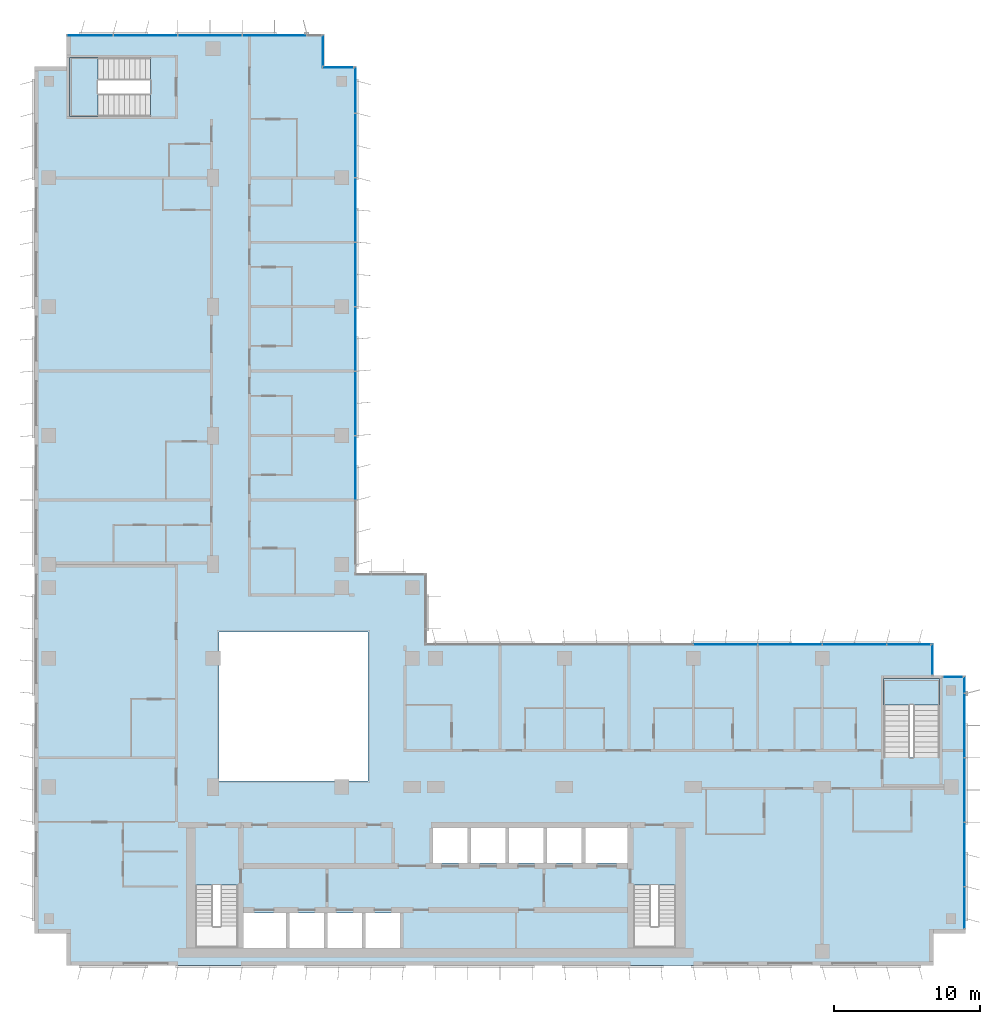
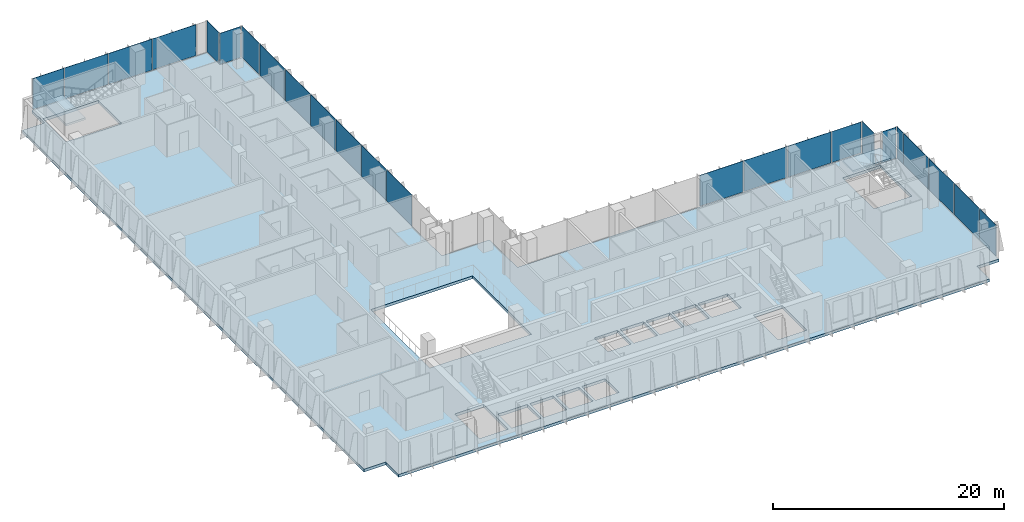
# One storey, part 11 of 21: 24 plates, 3 slabs, 10 elements without a shape of their own.
"""IFC4 building model written with IfcOpenShell, lengths in metres."""

from ifc_helpers import new_model, si_unit, direction, frame, origin, origin_2d, place, context, subcontext, project, spatial, polyline, rectangle, outline, extrude, source, transform, mapped, material, layer, layer_set, type_object, element, aggregate, save


model = new_model("IFC4")

# Units and contexts
model_context = context("Model", 3, precision=1e-05, world=origin(), true_north=direction((0.0, 1.0)))
body_context = subcontext(model_context, "Body", "Model", "MODEL_VIEW")
ifc_project = project(units=[si_unit("LENGTHUNIT", "METRE"), si_unit("AREAUNIT", "SQUARE_METRE"), si_unit("VOLUMEUNIT", "CUBIC_METRE"), si_unit("PLANEANGLEUNIT", "RADIAN"), si_unit("MASSUNIT", "GRAM", prefix="KILO")], contexts=[model_context])

# Site, building, storey
site_placement = place(None, origin())
site = spatial("IfcSite", under=ifc_project, at=site_placement, CompositionType="ELEMENT")
building_placement = place(site_placement, origin())
building = spatial("IfcBuilding", under=site, at=building_placement, Name="Kemantara Hotel Tower", CompositionType="ELEMENT")
storey_placement = place(building_placement, frame((0.0, 0.0, 215.39990234375)))
storey = spatial("IfcBuildingStorey", under=building, at=storey_placement, Name="L53", CompositionType="ELEMENT", Elevation=215.39990234375)

# Slab
ifc_material_1 = material(Name="Concrete fc 40 MPa", Category="concrete")
ifc_layer_1 = layer(ifc_material_1, 0.300048828125)
ifc_layer_set_1 = layer_set([ifc_layer_1], Name="Concrete fc 40 MPa")
slab_type_1 = type_object("IfcSlabType", Name="POST-TENSIONED FLAT PLATE 300", PredefinedType="FLOOR", material=ifc_layer_set_1)
slab_1_placement = place(storey_placement, frame((0.0, 0.0, -0.2998046875)))
element("IfcSlab", 1, at=slab_1_placement, inside=storey, type_object=slab_type_1, Name="FLOOR SLAB L53", PredefinedType="FLOOR", context=body_context, shape_type="SweptSolid", body=[
    extrude(outline(polyline([(22.0, 26.800048828125), (22.0, 61.39990234375), (19.800048828125, 61.39990234375), (19.800048828125, 63.60009765625), (2.199951171875, 63.60009765625), (2.199951171875, 61.39990234375), (0.0, 61.39990234375), (0.0, 2.199951171875), (2.199951171875, 2.199951171875), (2.199951171875, 0.0), (61.39990234375, 0.0), (61.39990234375, 2.199951171875), (63.60009765625, 2.199951171875), (63.60009765625, 19.800048828125), (61.39990234375, 19.800048828125), (61.39990234375, 22.0), (26.800048828125, 22.0), (26.800048828125, 26.800048828125), (22.0, 26.800048828125)]), holes=[polyline([(17.175048828125, 3.60009765625), (17.175048828125, 1.199951171875), (14.22509765625, 1.199951171875), (14.22509765625, 3.60009765625), (17.175048828125, 3.60009765625)]), polyline([(19.77490234375, 1.199951171875), (17.425048828125, 1.199951171875), (17.425048828125, 3.60009765625), (19.77490234375, 3.60009765625), (19.77490234375, 1.199951171875)]), polyline([(22.375, 1.199951171875), (20.02490234375, 1.199951171875), (20.02490234375, 3.60009765625), (22.375, 3.60009765625), (22.375, 1.199951171875)]), polyline([(24.97509765625, 1.199951171875), (22.625, 1.199951171875), (22.625, 3.60009765625), (24.97509765625, 3.60009765625), (24.97509765625, 1.199951171875)]), polyline([(11.0, 1.199951171875), (11.0, 5.49951171875), (13.89990234375, 5.49951171875), (13.89990234375, 1.199951171875), (11.0, 1.199951171875)]), polyline([(22.800048828125, 12.60009765625), (12.60009765625, 12.60009765625), (12.60009765625, 22.800048828125), (22.800048828125, 22.800048828125), (22.800048828125, 12.60009765625)]), polyline([(2.39990234375, 62.0), (7.949462890625, 62.0), (7.949462890625, 58.0), (2.39990234375, 58.0), (2.39990234375, 62.0)]), polyline([(43.800048828125, 1.199951171875), (40.89990234375, 1.199951171875), (40.89990234375, 5.49951171875), (43.800048828125, 5.49951171875), (43.800048828125, 1.199951171875)]), polyline([(29.574951171875, 7.0), (27.22509765625, 7.0), (27.22509765625, 9.39990234375), (29.574951171875, 9.39990234375), (29.574951171875, 7.0)]), polyline([(32.175048828125, 7.0), (29.824951171875, 7.0), (29.824951171875, 9.39990234375), (32.175048828125, 9.39990234375), (32.175048828125, 7.0)]), polyline([(34.77490234375, 7.0), (32.425048828125, 7.0), (32.425048828125, 9.39990234375), (34.77490234375, 9.39990234375), (34.77490234375, 7.0)]), polyline([(37.375, 7.0), (35.02490234375, 7.0), (35.02490234375, 9.39990234375), (37.375, 9.39990234375), (37.375, 7.0)]), polyline([(40.574951171875, 7.0), (37.625, 7.0), (37.625, 9.39990234375), (40.574951171875, 9.39990234375), (40.574951171875, 7.0)]), polyline([(61.800048828125, 19.60009765625), (61.800048828125, 14.20068359375), (58.0, 14.20068359375), (58.0, 19.60009765625), (61.800048828125, 19.60009765625)])]), origin(), (0.0, 0.0, 1.0), 0.2998046875),
])

# Stair, slab
stair_type_1 = type_object("IfcStairType", Name="Stair 1800 wide 22 risers of 168 x 360 mm", PredefinedType="HALF_TURN_STAIR", material=ifc_material_1)
stair_1_placement = place(storey_placement, origin())
stair_1 = element("IfcStair", 2, at=stair_1_placement, inside=storey, type_object=stair_type_1, Name="L53 Exit stair ST3", PredefinedType="HALF_TURN_STAIR")
ifc_layer_2 = layer(ifc_material_1, 0.199951171875)
ifc_layer_set_2 = layer_set([ifc_layer_2], Name="Concrete fc 40 MPa")
slab_type_2 = type_object("IfcSlabType", Name="Stair landing 200 mm", PredefinedType="LANDING", material=ifc_layer_set_2)
slab_2_placement = place(storey_placement, frame((0.0, 0.0, 1.650146484375)))
slab_2 = element("IfcSlab", 3, at=slab_2_placement, type_object=slab_type_2, Name="ST3 landing 1", PredefinedType="LANDING", context=body_context, shape_type="SweptSolid", body=[
    extrude(outline(polyline([(61.800048828125, 17.800048828125), (61.800048828125, 19.60009765625), (58.0, 19.60009765625), (58.0, 17.800048828125), (61.800048828125, 17.800048828125)])), origin(), (0.0, 0.0, 1.0), 0.199951171875),
])
aggregate(stair_1, [slab_2])

stair_type_2 = type_object("IfcStairType", Name="Stair 1550 wide 22 risers of 168 x 360 mm", PredefinedType="HALF_TURN_STAIR", material=ifc_material_1)
stair_2_placement = place(storey_placement, origin())
stair_2 = element("IfcStair", 4, at=stair_2_placement, inside=storey, type_object=stair_type_2, Name="L53 Exit stair ST4", PredefinedType="HALF_TURN_STAIR")
slab_3_placement = place(storey_placement, frame((0.0, 0.0, 1.650146484375)))
slab_3 = element("IfcSlab", 5, at=slab_3_placement, type_object=slab_type_2, Name="ST4 landing 1", PredefinedType="LANDING", context=body_context, shape_type="SweptSolid", body=[
    extrude(outline(polyline([(4.35009765625, 62.0), (2.39990234375, 62.0), (2.39990234375, 58.0), (4.35009765625, 58.0), (4.35009765625, 62.0)])), origin(), (0.0, 0.0, 1.0), 0.199951171875),
])
aggregate(stair_2, [slab_3])

# Curtain wall, plate
ifc_material_2 = material(Name="Low-E tinted double insulated glass 36 mm", Category="glass")
curtain_wall_type = type_object("IfcCurtainWallType", Name="TOWER CURTAIN WALL, FRONT FACES", PredefinedType="USERDEFINED", material=ifc_material_2)
curtain_wall_1_placement = place(storey_placement, origin())
curtain_wall_1 = element("IfcCurtainWall", 6, at=curtain_wall_1_placement, inside=storey, type_object=curtain_wall_type, Name="CW4 L53 T3-R11-1", ObjectType="TOWER CURTAIN WALL, FRONT FACES", PredefinedType="USERDEFINED")
ifc_layer_3 = layer(ifc_material_2, 0.035888671875)
ifc_layer_set_3 = layer_set([ifc_layer_3], Name="Low-E tinted double insulated glass 36 mm")
plate_type = type_object("IfcPlateType", Name="TOWER CURTAIN WALL, FRONT FACES PANEL", PredefinedType="CURTAIN_PANEL", material=ifc_layer_set_3)
shared_shape_1 = source(origin(), body_context, "Body", "SweptSolid", [
    extrude(rectangle(XDim=2.81005859375, YDim=0.035888671875, at=origin_2d()), origin(), (0.0, 0.0, 1.0), 3.280029296875),
])
plate_1_placement = place(storey_placement, frame((63.52490234375, 3.965087890625, 0.1201171875), z_axis=(0.0, 0.0, 1.0), x_axis=(0.0, 1.0, 0.0)))
plate_1 = element("IfcPlate", 7, at=plate_1_placement, type_object=plate_type, Name="CW4 glass panel T3-R11-1.1", PredefinedType="CURTAIN_PANEL", context=body_context, shape_type="MappedRepresentation", body=[
    mapped(shared_shape_1, transform((0.0, 0.0, 0.0))),
])

# Curtain wall, plates
curtain_wall_2_placement = place(storey_placement, origin())
curtain_wall_2 = element("IfcCurtainWall", 8, at=curtain_wall_2_placement, inside=storey, type_object=curtain_wall_type, Name="CW4 L53 T3-R02-1", ObjectType="TOWER CURTAIN WALL, FRONT FACES", PredefinedType="USERDEFINED")
shared_shape_2 = source(origin(), body_context, "Body", "SweptSolid", [
    extrude(rectangle(XDim=4.340087890625, YDim=0.035888671875, at=origin_2d()), origin(), (0.0, 0.0, 1.0), 3.280029296875),
])
plate_2_placement = place(storey_placement, frame((16.39990234375, 63.52490234375, 0.1201171875), z_axis=(0.0, 0.0, 1.0), x_axis=(-1.0, 0.0, 0.0)))
plate_2 = element("IfcPlate", 9, at=plate_2_placement, type_object=plate_type, Name="CW4 glass panel T3-R02-1.2", PredefinedType="CURTAIN_PANEL", context=body_context, shape_type="MappedRepresentation", body=[
    mapped(shared_shape_2, transform((0.0, 0.0, 0.0))),
])
plate_3_placement = place(storey_placement, frame((12.0, 63.52490234375, 0.1201171875), z_axis=(0.0, 0.0, 1.0), x_axis=(-1.0, 0.0, 0.0)))
plate_3 = element("IfcPlate", 10, at=plate_3_placement, type_object=plate_type, Name="CW4 glass panel T3-R02-1.3", PredefinedType="CURTAIN_PANEL", context=body_context, shape_type="MappedRepresentation", body=[
    mapped(shared_shape_2, transform((0.0, 0.0, 0.0))),
])
plate_4_placement = place(storey_placement, frame((7.60009765625, 63.52490234375, 0.1201171875), z_axis=(0.0, 0.0, 1.0), x_axis=(-1.0, 0.0, 0.0)))
plate_4 = element("IfcPlate", 11, at=plate_4_placement, type_object=plate_type, Name="CW4 glass panel T3-R02-1.4", PredefinedType="CURTAIN_PANEL", context=body_context, shape_type="MappedRepresentation", body=[
    mapped(shared_shape_2, transform((0.0, 0.0, 0.0))),
])

# Plate
plate_5_placement = place(storey_placement, frame((63.52490234375, 7.60009765625, 0.1201171875), z_axis=(0.0, 0.0, 1.0), x_axis=(0.0, 1.0, 0.0)))
plate_5 = element("IfcPlate", 12, at=plate_5_placement, type_object=plate_type, Name="CW4 glass panel T3-R11-1.2", PredefinedType="CURTAIN_PANEL", context=body_context, shape_type="MappedRepresentation", body=[
    mapped(shared_shape_2, transform((0.0, 0.0, 0.0))),
])

plate_6_placement = place(storey_placement, frame((63.52490234375, 12.0, 0.1201171875), z_axis=(0.0, 0.0, 1.0), x_axis=(0.0, 1.0, 0.0)))
plate_6 = element("IfcPlate", 13, at=plate_6_placement, type_object=plate_type, Name="CW4 glass panel T3-R11-1.3", PredefinedType="CURTAIN_PANEL", context=body_context, shape_type="MappedRepresentation", body=[
    mapped(shared_shape_2, transform((0.0, 0.0, 0.0))),
])

plate_7_placement = place(storey_placement, frame((63.52490234375, 16.39990234375, 0.1201171875), z_axis=(0.0, 0.0, 1.0), x_axis=(0.0, 1.0, 0.0)))
plate_7 = element("IfcPlate", 14, at=plate_7_placement, type_object=plate_type, Name="CW4 glass panel T3-R11-1.4", PredefinedType="CURTAIN_PANEL", context=body_context, shape_type="MappedRepresentation", body=[
    mapped(shared_shape_2, transform((0.0, 0.0, 0.0))),
])

# Curtain wall, plates
curtain_wall_3_placement = place(storey_placement, origin())
curtain_wall_3 = element("IfcCurtainWall", 15, at=curtain_wall_3_placement, inside=storey, type_object=curtain_wall_type, Name="CW4 L53 T3-R14-1", ObjectType="TOWER CURTAIN WALL, FRONT FACES", PredefinedType="USERDEFINED")
plate_8_placement = place(storey_placement, frame((56.0, 21.925048828125, 0.1201171875), z_axis=(0.0, 0.0, 1.0), x_axis=(-1.0, 0.0, 0.0)))
plate_8 = element("IfcPlate", 16, at=plate_8_placement, type_object=plate_type, Name="CW4 glass panel T3-R14-1.2", PredefinedType="CURTAIN_PANEL", context=body_context, shape_type="MappedRepresentation", body=[
    mapped(shared_shape_2, transform((0.0, 0.0, 0.0))),
])
plate_9_placement = place(storey_placement, frame((51.60009765625, 21.925048828125, 0.1201171875), z_axis=(0.0, 0.0, 1.0), x_axis=(-1.0, 0.0, 0.0)))
plate_9 = element("IfcPlate", 17, at=plate_9_placement, type_object=plate_type, Name="CW4 glass panel T3-R14-1.3", PredefinedType="CURTAIN_PANEL", context=body_context, shape_type="MappedRepresentation", body=[
    mapped(shared_shape_2, transform((0.0, 0.0, 0.0))),
])
plate_10_placement = place(storey_placement, frame((47.199951171875, 21.925048828125, 0.1201171875), z_axis=(0.0, 0.0, 1.0), x_axis=(-1.0, 0.0, 0.0)))
plate_10 = element("IfcPlate", 18, at=plate_10_placement, type_object=plate_type, Name="CW4 glass panel T3-R14-1.4", PredefinedType="CURTAIN_PANEL", context=body_context, shape_type="MappedRepresentation", body=[
    mapped(shared_shape_2, transform((0.0, 0.0, 0.0))),
])

curtain_wall_4_placement = place(storey_placement, origin())
curtain_wall_4 = element("IfcCurtainWall", 19, at=curtain_wall_4_placement, inside=storey, type_object=curtain_wall_type, Name="CW4 L53 T3-R17-1", ObjectType="TOWER CURTAIN WALL, FRONT FACES", PredefinedType="USERDEFINED")
plate_11_placement = place(storey_placement, frame((21.925048828125, 34.0, 0.1201171875), z_axis=(0.0, 0.0, 1.0), x_axis=(0.0, 1.0, 0.0)))
plate_11 = element("IfcPlate", 20, at=plate_11_placement, type_object=plate_type, Name="CW4 glass panel T3-R17-1.3", PredefinedType="CURTAIN_PANEL", context=body_context, shape_type="MappedRepresentation", body=[
    mapped(shared_shape_2, transform((0.0, 0.0, 0.0))),
])
plate_12_placement = place(storey_placement, frame((21.925048828125, 38.39990234375, 0.1201171875), z_axis=(0.0, 0.0, 1.0), x_axis=(0.0, 1.0, 0.0)))
plate_12 = element("IfcPlate", 21, at=plate_12_placement, type_object=plate_type, Name="CW4 glass panel T3-R17-1.4", PredefinedType="CURTAIN_PANEL", context=body_context, shape_type="MappedRepresentation", body=[
    mapped(shared_shape_2, transform((0.0, 0.0, 0.0))),
])
plate_13_placement = place(storey_placement, frame((21.925048828125, 42.800048828125, 0.1201171875), z_axis=(0.0, 0.0, 1.0), x_axis=(0.0, 1.0, 0.0)))
plate_13 = element("IfcPlate", 22, at=plate_13_placement, type_object=plate_type, Name="CW4 glass panel T3-R17-1.5", PredefinedType="CURTAIN_PANEL", context=body_context, shape_type="MappedRepresentation", body=[
    mapped(shared_shape_2, transform((0.0, 0.0, 0.0))),
])
plate_14_placement = place(storey_placement, frame((21.925048828125, 47.199951171875, 0.1201171875), z_axis=(0.0, 0.0, 1.0), x_axis=(0.0, 1.0, 0.0)))
plate_14 = element("IfcPlate", 23, at=plate_14_placement, type_object=plate_type, Name="CW4 glass panel T3-R17-1.6", PredefinedType="CURTAIN_PANEL", context=body_context, shape_type="MappedRepresentation", body=[
    mapped(shared_shape_2, transform((0.0, 0.0, 0.0))),
])
plate_15_placement = place(storey_placement, frame((21.925048828125, 51.60009765625, 0.1201171875), z_axis=(0.0, 0.0, 1.0), x_axis=(0.0, 1.0, 0.0)))
plate_15 = element("IfcPlate", 24, at=plate_15_placement, type_object=plate_type, Name="CW4 glass panel T3-R17-1.7", PredefinedType="CURTAIN_PANEL", context=body_context, shape_type="MappedRepresentation", body=[
    mapped(shared_shape_2, transform((0.0, 0.0, 0.0))),
])
plate_16_placement = place(storey_placement, frame((21.925048828125, 56.0, 0.1201171875), z_axis=(0.0, 0.0, 1.0), x_axis=(0.0, 1.0, 0.0)))
plate_16 = element("IfcPlate", 25, at=plate_16_placement, type_object=plate_type, Name="CW4 glass panel T3-R17-1.8", PredefinedType="CURTAIN_PANEL", context=body_context, shape_type="MappedRepresentation", body=[
    mapped(shared_shape_2, transform((0.0, 0.0, 0.0))),
])

# Plate
shared_shape_3 = source(origin(), body_context, "Body", "SweptSolid", [
    extrude(rectangle(XDim=3.110107421875, YDim=0.035888671875, at=origin_2d()), origin(), (0.0, 0.0, 1.0), 3.280029296875),
])
plate_17_placement = place(storey_placement, frame((3.81494140625, 63.52490234375, 0.1201171875), z_axis=(0.0, 0.0, 1.0), x_axis=(-1.0, 0.0, 0.0)))
plate_17 = element("IfcPlate", 26, at=plate_17_placement, type_object=plate_type, Name="CW4 glass panel T3-R02-1.5", PredefinedType="CURTAIN_PANEL", context=body_context, shape_type="MappedRepresentation", body=[
    mapped(shared_shape_3, transform((0.0, 0.0, 0.0))),
])

aggregate(curtain_wall_2, [plate_2, plate_3, plate_4, plate_17])

plate_18_placement = place(storey_placement, frame((21.925048828125, 59.784912109375, 0.1201171875), z_axis=(0.0, 0.0, 1.0), x_axis=(0.0, 1.0, 0.0)))
plate_18 = element("IfcPlate", 27, at=plate_18_placement, type_object=plate_type, Name="CW4 glass panel T3-R17-1.9", PredefinedType="CURTAIN_PANEL", context=body_context, shape_type="MappedRepresentation", body=[
    mapped(shared_shape_3, transform((0.0, 0.0, 0.0))),
])

aggregate(curtain_wall_4, [plate_11, plate_12, plate_13, plate_14, plate_15, plate_16, plate_18])

# Curtain wall, plate
curtain_wall_5_placement = place(storey_placement, origin())
curtain_wall_5 = element("IfcCurtainWall", 28, at=curtain_wall_5_placement, inside=storey, type_object=curtain_wall_type, Name="CW4 L53 T3-R00-1", ObjectType="TOWER CURTAIN WALL, FRONT FACES", PredefinedType="USERDEFINED")
shared_shape_4 = source(origin(), body_context, "Body", "SweptSolid", [
    extrude(rectangle(XDim=2.080078125, YDim=0.035888671875, at=origin_2d()), origin(), (0.0, 0.0, 1.0), 3.280029296875),
])
plate_19_placement = place(storey_placement, frame((20.75, 61.324951171875, 0.1201171875), z_axis=(0.0, 0.0, 1.0), x_axis=(-1.0, 0.0, 0.0)))
plate_19 = element("IfcPlate", 29, at=plate_19_placement, type_object=plate_type, Name="CW4 glass panel T3-R00-1.1", PredefinedType="CURTAIN_PANEL", context=body_context, shape_type="MappedRepresentation", body=[
    mapped(shared_shape_4, transform((0.0, 0.0, 0.0))),
])
aggregate(curtain_wall_5, [plate_19])

curtain_wall_6_placement = place(storey_placement, origin())
curtain_wall_6 = element("IfcCurtainWall", 30, at=curtain_wall_6_placement, inside=storey, type_object=curtain_wall_type, Name="CW4 L53 T3-R01-1", ObjectType="TOWER CURTAIN WALL, FRONT FACES", PredefinedType="USERDEFINED")
plate_20_placement = place(storey_placement, frame((19.72509765625, 62.5, 0.1201171875), z_axis=(0.0, 0.0, 1.0), x_axis=(0.0, 1.0, 0.0)))
plate_20 = element("IfcPlate", 31, at=plate_20_placement, type_object=plate_type, Name="CW4 glass panel T3-R01-1.1", PredefinedType="CURTAIN_PANEL", context=body_context, shape_type="MappedRepresentation", body=[
    mapped(shared_shape_4, transform((0.0, 0.0, 0.0))),
])
aggregate(curtain_wall_6, [plate_20])

curtain_wall_7_placement = place(storey_placement, origin())
curtain_wall_7 = element("IfcCurtainWall", 32, at=curtain_wall_7_placement, inside=storey, type_object=curtain_wall_type, Name="CW4 L53 T3-R13-1", ObjectType="TOWER CURTAIN WALL, FRONT FACES", PredefinedType="USERDEFINED")
plate_21_placement = place(storey_placement, frame((61.324951171875, 20.89990234375, 0.1201171875), z_axis=(0.0, 0.0, 1.0), x_axis=(0.0, 1.0, 0.0)))
plate_21 = element("IfcPlate", 33, at=plate_21_placement, type_object=plate_type, Name="CW4 glass panel T3-R13-1.1", PredefinedType="CURTAIN_PANEL", context=body_context, shape_type="MappedRepresentation", body=[
    mapped(shared_shape_4, transform((0.0, 0.0, 0.0))),
])
aggregate(curtain_wall_7, [plate_21])

# Plate
shared_shape_5 = source(origin(), body_context, "Body", "SweptSolid", [
    extrude(rectangle(XDim=2.9599609375, YDim=0.035888671875, at=origin_2d()), origin(), (0.0, 0.0, 1.0), 3.280029296875),
])
plate_22_placement = place(storey_placement, frame((59.7099609375, 21.925048828125, 0.1201171875), z_axis=(0.0, 0.0, 1.0), x_axis=(-1.0, 0.0, 0.0)))
plate_22 = element("IfcPlate", 34, at=plate_22_placement, type_object=plate_type, Name="CW4 glass panel T3-R14-1.1", PredefinedType="CURTAIN_PANEL", context=body_context, shape_type="MappedRepresentation", body=[
    mapped(shared_shape_5, transform((0.0, 0.0, 0.0))),
])

aggregate(curtain_wall_3, [plate_22, plate_8, plate_9, plate_10])

shared_shape_6 = source(origin(), body_context, "Body", "SweptSolid", [
    extrude(rectangle(XDim=1.110107421875, YDim=0.035888671875, at=origin_2d()), origin(), (0.0, 0.0, 1.0), 3.280029296875),
])
plate_23_placement = place(storey_placement, frame((63.52490234375, 19.18505859375, 0.1201171875), z_axis=(0.0, 0.0, 1.0), x_axis=(0.0, 1.0, 0.0)))
plate_23 = element("IfcPlate", 35, at=plate_23_placement, type_object=plate_type, Name="CW4 glass panel T3-R11-1.5", PredefinedType="CURTAIN_PANEL", context=body_context, shape_type="MappedRepresentation", body=[
    mapped(shared_shape_6, transform((0.0, 0.0, 0.0))),
])

aggregate(curtain_wall_1, [plate_1, plate_5, plate_6, plate_7, plate_23])

# Curtain wall, plate
curtain_wall_8_placement = place(storey_placement, origin())
curtain_wall_8 = element("IfcCurtainWall", 36, at=curtain_wall_8_placement, inside=storey, type_object=curtain_wall_type, Name="CW4 L53 T3-R12-1", ObjectType="TOWER CURTAIN WALL, FRONT FACES", PredefinedType="USERDEFINED")
shared_shape_7 = source(origin(), body_context, "Body", "SweptSolid", [
    extrude(rectangle(XDim=1.330078125, YDim=0.035888671875, at=origin_2d()), origin(), (0.0, 0.0, 1.0), 3.280029296875),
])
plate_24_placement = place(storey_placement, frame((62.72509765625, 19.72509765625, 0.1201171875), z_axis=(0.0, 0.0, 1.0), x_axis=(-1.0, 0.0, 0.0)))
plate_24 = element("IfcPlate", 37, at=plate_24_placement, type_object=plate_type, Name="CW4 glass panel T3-R12-1.1", PredefinedType="CURTAIN_PANEL", context=body_context, shape_type="MappedRepresentation", body=[
    mapped(shared_shape_7, transform((0.0, 0.0, 0.0))),
])
aggregate(curtain_wall_8, [plate_24])

save(model, "model.ifc")
